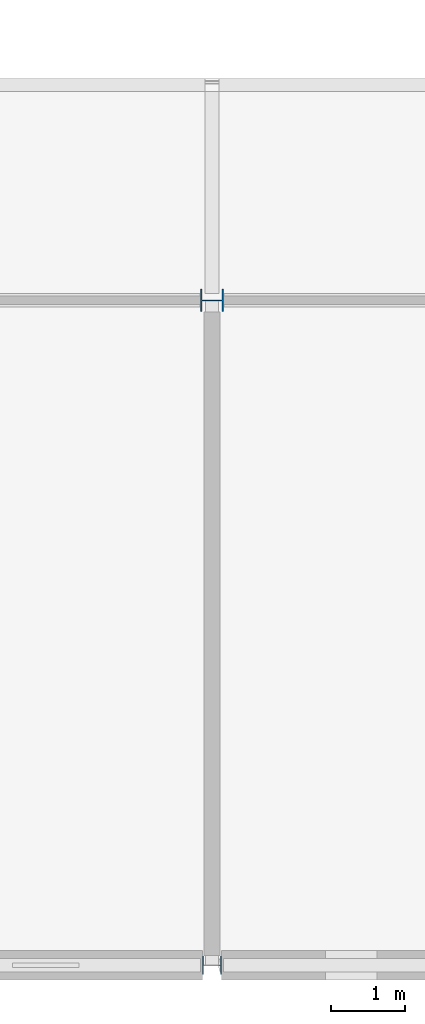
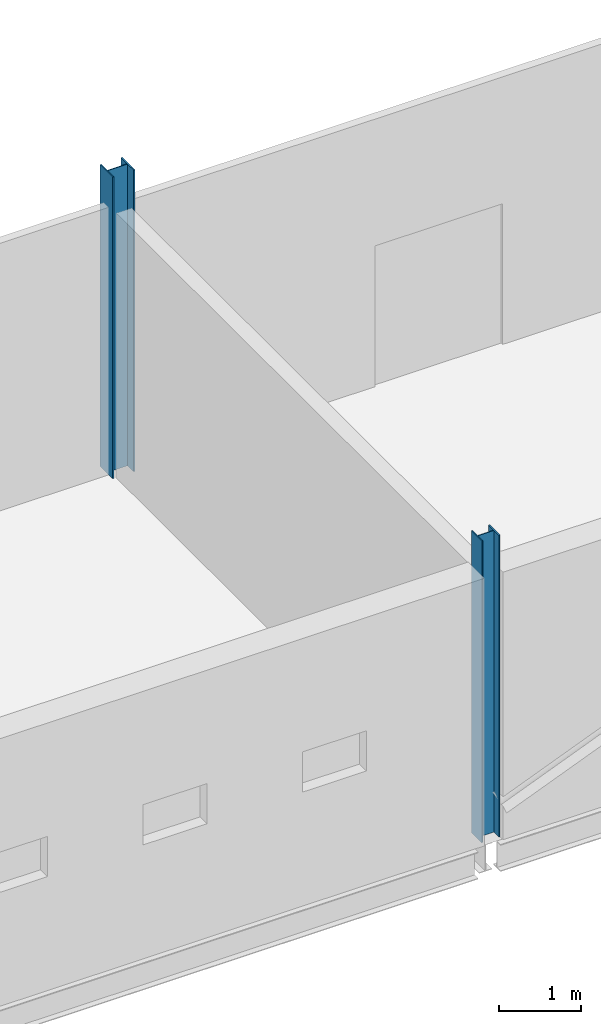
# One storey, part 3 of 97: 2 columns.
"""IFC4 building model written with IfcOpenShell, lengths in metres."""

import ifcopenshell
import ifcopenshell.guid

model = None  # the IFC model being written
_history = None  # IfcOwnerHistory: only IFC2X3 demands one
_inside = {}  # id of a spatial element -> (the spatial element, [elements in it])
_under = {}  # id of a project, library or spatial element -> (it, [spatial elements below it])
_declared = {}  # id of a project -> (the project, [libraries it declares])
_typed = {}  # id of a type object -> (the type object, [elements of that type])
_made_of = {}  # id of a material, layer set ... -> (it, [elements and type objects made of it])


def new_model(schema):
    """Start an empty IFC model of exactly this schema.

    Asked for "IFC4X3", IfcOpenShell would pick the latest addendum, in which some entities
    have other attributes; the version numbers below select the first issue.
    IFC2X3 requires an IfcOwnerHistory on every rooted entity: one is made here for all.
    """
    global model, _history
    if schema == "IFC4X3":
        model = ifcopenshell.file(schema_version=(4, 3, 0, 0))
    else:
        model = ifcopenshell.file(schema=schema)
    _inside.clear()
    _under.clear()
    _declared.clear()
    _typed.clear()
    _made_of.clear()
    _history = None
    if model.schema == "IFC2X3":
        org = make("IfcOrganization", Name="unknown")
        user = make(
            "IfcPersonAndOrganization",
            ThePerson=make("IfcPerson", FamilyName="unknown"),
            TheOrganization=org,
        )
        app = make(
            "IfcApplication",
            ApplicationDeveloper=org,
            Version="unknown",
            ApplicationFullName="unknown",
            ApplicationIdentifier="unknown",
        )
        _history = make(
            "IfcOwnerHistory",
            OwningUser=user,
            OwningApplication=app,
            ChangeAction="ADDED",
            CreationDate=0,
        )
    return model


def make(cls, **values):
    """One entity of the class cls with the attributes given. An attribute that is None is left unset."""
    return model.create_entity(
        cls, **{name: value for name, value in values.items() if value is not None}
    )


def rooted(cls, **values):
    """An entity with a GlobalId (a new one), such as an element, a storey or a relation."""
    return make(cls, GlobalId=ifcopenshell.guid.new(), OwnerHistory=_history, **values)


def si_unit(unit_type, name, prefix=None):
    """IfcSIUnit, for example si_unit("LENGTHUNIT", "METRE", prefix="MILLI")."""
    return make("IfcSIUnit", UnitType=unit_type, Prefix=prefix, Name=name)


def assignment(units):
    """IfcUnitAssignment: the units of a project."""
    return None if units is None else make("IfcUnitAssignment", Units=units)


def point(xyz):
    """IfcCartesianPoint."""
    return None if xyz is None else make("IfcCartesianPoint", Coordinates=xyz)


def direction(xyz):
    """IfcDirection."""
    return None if xyz is None else make("IfcDirection", DirectionRatios=xyz)


def frame(location, z_axis=None, x_axis=None):
    """IfcAxis2Placement3D, a coordinate frame: its origin and axes. An axis left out is left unset."""
    return make(
        "IfcAxis2Placement3D",
        Location=point(location),
        Axis=direction(z_axis),
        RefDirection=direction(x_axis),
    )


def frame_2d(location, x_axis=None):
    """IfcAxis2Placement2D, a coordinate frame in the plane: its origin and x axis."""
    return make(
        "IfcAxis2Placement2D", Location=point(location), RefDirection=direction(x_axis)
    )


def origin():
    """The frame at (0, 0, 0) with its axes left unset."""
    return frame((0.0, 0.0, 0.0))


def origin_2d():
    """The frame at (0, 0) in the plane with its x axis left unset."""
    return frame_2d((0.0, 0.0))


def place(relative_to, where):
    """IfcLocalPlacement: puts the frame where relative to a parent placement (None: the world)."""
    return make(
        "IfcLocalPlacement", PlacementRelTo=relative_to, RelativePlacement=where
    )


def context(
    kind, dimensions, precision=None, world=None, true_north=None, identifier=None
):
    """IfcGeometricRepresentationContext, for example the 3D "Model" context."""
    return make(
        "IfcGeometricRepresentationContext",
        ContextIdentifier=identifier,
        ContextType=kind,
        CoordinateSpaceDimension=dimensions,
        Precision=precision,
        WorldCoordinateSystem=world,
        TrueNorth=true_north,
    )


def subcontext(parent, identifier, kind, view, scale=None):
    """IfcGeometricRepresentationSubContext, for example "Body" below "Model"."""
    return make(
        "IfcGeometricRepresentationSubContext",
        ContextIdentifier=identifier,
        ContextType=kind,
        ParentContext=parent,
        TargetScale=scale,
        TargetView=view,
    )


def project(units=None, contexts=None):
    """IfcProject with its units and contexts."""
    return rooted(
        "IfcProject",
        Name="project",
        RepresentationContexts=contexts,
        UnitsInContext=assignment(units),
    )


def spatial(cls, under=None, at=None, **own):
    """A site, building, storey or space (cls), placed at a placement, below another one or the project."""
    s = rooted(cls, ObjectPlacement=at, **own)
    if under is not None:
        _under.setdefault(under.id(), (under, []))[1].append(s)
    return s


def profile(cls, at=None, kind="AREA", **sizes):
    """A parametric profile (cls). Its sizes go by their IFC names, for example OverallWidth=200.0."""
    return make(cls, ProfileType=kind, Position=at, **sizes)


def i_section(**sizes):
    """IfcIShapeProfileDef."""
    return profile("IfcIShapeProfileDef", **sizes)


def extrude(swept, where, along, depth):
    """IfcExtrudedAreaSolid: the profile swept, set in the frame where, extruded along a direction by depth."""
    return make(
        "IfcExtrudedAreaSolid",
        SweptArea=swept,
        Position=where,
        ExtrudedDirection=direction(along),
        Depth=depth,
    )


def shape(context_of_items, identifier, shape_type, items):
    """IfcShapeRepresentation: the items that make up one representation, for example the "Body"."""
    return make(
        "IfcShapeRepresentation",
        ContextOfItems=context_of_items,
        RepresentationIdentifier=identifier,
        RepresentationType=shape_type,
        Items=items,
    )


def material(Name=None, Category=None):
    """IfcMaterial."""
    return make("IfcMaterial", Name=Name, Category=Category)


def material_profile(
    of_material, cross_section, Name=None, Category=None, Priority=None
):
    """IfcMaterialProfile: a cross section and its material."""
    return make(
        "IfcMaterialProfile",
        Name=Name,
        Material=of_material,
        Profile=cross_section,
        Priority=Priority,
        Category=Category,
    )


def profile_set(profiles, Name=None, composite=None):
    """IfcMaterialProfileSet."""
    return make(
        "IfcMaterialProfileSet",
        Name=Name,
        MaterialProfiles=profiles,
        CompositeProfile=composite,
    )


def made_of(thing, what):
    """Note that an element or type object is made of a material, layer set ...; save() writes the relation."""
    if what is not None:
        _made_of.setdefault(what.id(), (what, []))[1].append(thing)
    return thing


def type_object(cls, material=None, **own):
    """A type object (cls), such as IfcWallType, which elements share."""
    return made_of(rooted(cls, **own), material)


def element(
    cls,
    number,
    at=None,
    inside=None,
    cuts=None,
    type_object=None,
    material=None,
    context=None,
    identifier="Body",
    shape_type=None,
    held_by="IfcProductDefinitionShape",
    body=None,
    shapes=None,
    **own,
):
    """One element of the class cls, such as IfcWall. Its Tag is "e" and its number.

    at: its placement. inside: the storey or other place that contains it. cuts: it is an
    opening in that element (IfcRelVoidsElement). A single representation is given by context,
    identifier, shape_type and body (its items); several are given by shapes. held_by: the class
    of the entity that holds the representations. save() writes the other relations.
    """
    e = rooted(cls, Tag="e%d" % number, ObjectPlacement=at, **own)
    if body is not None:
        shapes = [shape(context, identifier, shape_type, body)]
    if shapes is not None:
        e.Representation = make(held_by, Representations=shapes)
    if inside is not None:
        _inside.setdefault(inside.id(), (inside, []))[1].append(e)
    if cuts is not None:
        rooted(
            "IfcRelVoidsElement", RelatingBuildingElement=cuts, RelatedOpeningElement=e
        )
    if type_object is not None:
        _typed.setdefault(type_object.id(), (type_object, []))[1].append(e)
    return made_of(e, material)


def aggregate(whole, parts):
    """IfcRelAggregates: a whole, such as a stair, and the parts it consists of."""
    return rooted("IfcRelAggregates", RelatingObject=whole, RelatedObjects=parts)


def save(model, path):
    """Write the relations noted so far, then the file.

    IfcRelAggregates (storeys below a building ...), IfcRelContainedInSpatialStructure (elements
    in a storey), IfcRelDefinesByType, IfcRelAssociatesMaterial and IfcRelDeclares: one each for
    every whole, place, type object, material and project.
    """
    for whole, parts in _under.values():
        aggregate(whole, parts)
    for where, things in _inside.values():
        rooted(
            "IfcRelContainedInSpatialStructure",
            RelatedElements=things,
            RelatingStructure=where,
        )
    for kind, things in _typed.values():
        rooted("IfcRelDefinesByType", RelatedObjects=things, RelatingType=kind)
    for what, things in _made_of.values():
        rooted("IfcRelAssociatesMaterial", RelatedObjects=things, RelatingMaterial=what)
    for by, libraries in _declared.values():
        rooted("IfcRelDeclares", RelatingContext=by, RelatedDefinitions=libraries)
    model.write(path)


model = new_model("IFC4")

# Units and contexts
model_context = context("Model", 3, precision=1e-05, world=origin(), true_north=direction((0.0, 1.0)))
body_context = subcontext(model_context, "Body", "Model", "MODEL_VIEW")
ifc_project = project(units=[si_unit("LENGTHUNIT", "METRE"), si_unit("AREAUNIT", "SQUARE_METRE"), si_unit("VOLUMEUNIT", "CUBIC_METRE"), si_unit("PLANEANGLEUNIT", "RADIAN"), si_unit("MASSUNIT", "GRAM", prefix="KILO")], contexts=[model_context])

# Site, building, storey
site_placement = place(None, origin())
site = spatial("IfcSite", under=ifc_project, at=site_placement, CompositionType="ELEMENT")
building_placement = place(site_placement, origin())
building = spatial("IfcBuilding", under=site, at=building_placement, Name="Corbel Yard City Hall", CompositionType="ELEMENT")
storey_placement = place(building_placement, frame((0.0, 0.0, 6.0)))
storey = spatial("IfcBuildingStorey", under=building, at=storey_placement, Name="L01", CompositionType="ELEMENT", Elevation=6.0)

# Columns
ifc_material = material(Name="Steel Grade 300 (300 MPa yield)", Category="steel")
ifc_material_profile_1 = material_profile(ifc_material, i_section(OverallWidth=0.256103515625, OverallDepth=0.260009765625, WebThickness=0.010498046875, FlangeThickness=0.017333984375, at=origin_2d()), Name="250UC89.5")
ifc_profile_set_1 = profile_set([ifc_material_profile_1], Name="Steel Grade 300 (300 MPa yield)")
column_type_1 = type_object("IfcColumnType", Name="Column 250UC89.5", PredefinedType="COLUMN", material=ifc_profile_set_1)
column_1_placement = place(storey_placement, frame((63.0, 0.0, 0.0), z_axis=(0.0, 0.0, 1.0), x_axis=(0.0, 1.0, 0.0)))
element("IfcColumn", 1, at=column_1_placement, inside=storey, type_object=column_type_1, Name="Column 250UC89.5 A/8 L01", PredefinedType="COLUMN", context=body_context, shape_type="SweptSolid", body=[
    extrude(i_section(OverallWidth=0.256103515625, OverallDepth=0.260009765625, WebThickness=0.010498046875, FlangeThickness=0.017333984375, at=origin_2d()), origin(), (0.0, 0.0, 1.0), 4.5),
])
ifc_material_profile_2 = material_profile(ifc_material, i_section(OverallWidth=0.306884765625, OverallDepth=0.31494140625, WebThickness=0.011962890625, FlangeThickness=0.018798828125, at=origin_2d()), Name="310UC118")
ifc_profile_set_2 = profile_set([ifc_material_profile_2], Name="Steel Grade 300 (300 MPa yield)")
column_type_2 = type_object("IfcColumnType", Name="Column 310UC118", PredefinedType="COLUMN", material=ifc_profile_set_2)
column_2_placement = place(storey_placement, frame((63.0, 9.0, 0.0), z_axis=(0.0, 0.0, 1.0), x_axis=(0.0, 1.0, 0.0)))
element("IfcColumn", 2, at=column_2_placement, inside=storey, type_object=column_type_2, Name="Column 310UC118 B/8 L01", PredefinedType="COLUMN", context=body_context, shape_type="SweptSolid", body=[
    extrude(i_section(OverallWidth=0.306884765625, OverallDepth=0.31494140625, WebThickness=0.011962890625, FlangeThickness=0.018798828125, at=origin_2d()), origin(), (0.0, 0.0, 1.0), 4.5),
])

save(model, "model.ifc")
